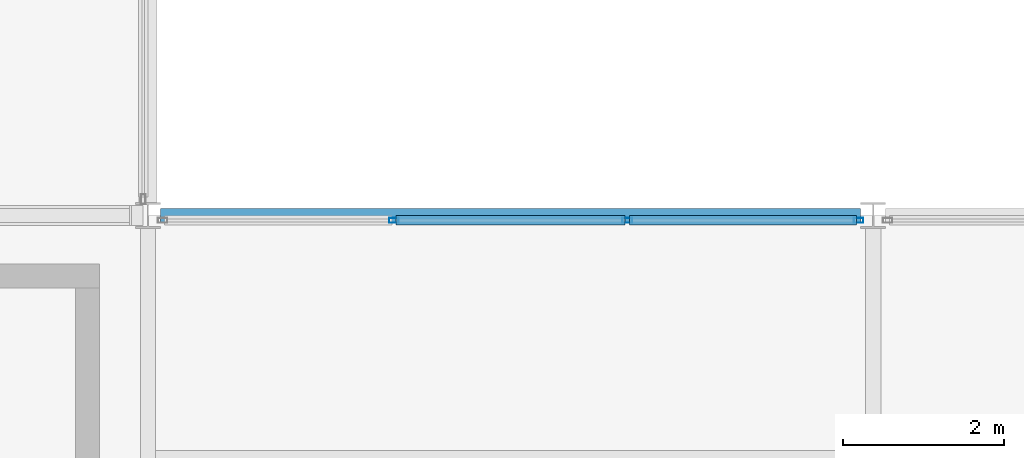
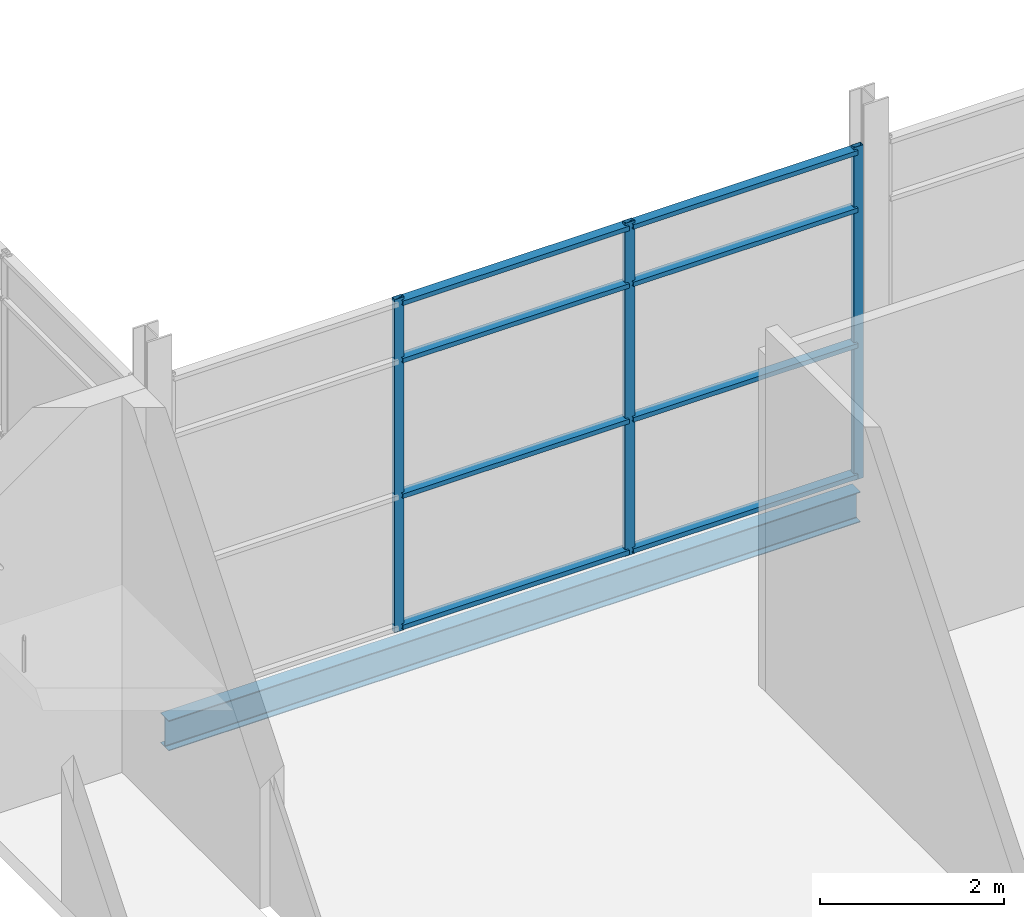
# One storey, part 20 of 112: 11 members, 1 beam, 1 element without a shape of its own.
"""IFC4 building model written with IfcOpenShell, lengths in metres."""

from ifc_helpers import new_model, si_unit, direction, frame, origin, origin_2d, place, context, subcontext, project, spatial, hollow_rectangle, i_section, extrude, material, layer, layer_set, material_profile, profile_set, type_object, element, aggregate, save


model = new_model("IFC4")

# Units and contexts
model_context = context("Model", 3, precision=1e-05, world=origin(), true_north=direction((0.0, 1.0)))
body_context = subcontext(model_context, "Body", "Model", "MODEL_VIEW")
ifc_project = project(units=[si_unit("LENGTHUNIT", "METRE"), si_unit("AREAUNIT", "SQUARE_METRE"), si_unit("VOLUMEUNIT", "CUBIC_METRE"), si_unit("PLANEANGLEUNIT", "RADIAN"), si_unit("MASSUNIT", "GRAM", prefix="KILO")], contexts=[model_context])

# Site, building, storey
site_placement = place(None, origin())
site = spatial("IfcSite", under=ifc_project, at=site_placement, CompositionType="ELEMENT")
building_placement = place(site_placement, origin())
building = spatial("IfcBuilding", under=site, at=building_placement, Name="Shorebreak Coast Museum", CompositionType="ELEMENT")
storey_placement = place(building_placement, frame((0.0, 0.0, 6.0)))
storey = spatial("IfcBuildingStorey", under=building, at=storey_placement, Name="L01", CompositionType="ELEMENT", Elevation=6.0)

# Beam
ifc_material_1 = material(Name="Steel Grade 300", Category="steel")
ifc_material_profile_1 = material_profile(ifc_material_1, i_section(OverallWidth=0.177978515625, OverallDepth=0.402587890625, WebThickness=0.007568359375, FlangeThickness=0.010986328125, FilletRadius=0.011474609375, at=origin_2d()), Name="410UB53.7")
ifc_profile_set_1 = profile_set([ifc_material_profile_1], Name="Steel Grade 300")
beam_type = type_object("IfcBeamType", Name="Floor girder east-west 410UB53.7", PredefinedType="BEAM", material=ifc_profile_set_1)
beam_placement = place(storey_placement, frame((63.155517578125, 63.0, -0.376220703125), z_axis=(1.0, 0.0, 0.0), x_axis=(0.0, 1.0, 0.0)))
element("IfcBeam", 1, at=beam_placement, inside=storey, type_object=beam_type, Name="Floor girder east-west L01 8H", PredefinedType="BEAM", context=body_context, shape_type="SweptSolid", body=[
    extrude(i_section(OverallWidth=0.177978515625, OverallDepth=0.402587890625, WebThickness=0.007568359375, FlangeThickness=0.010986328125, FilletRadius=0.011474609375, at=origin_2d()), origin(), (0.0, 0.0, 1.0), 8.68896484375),
])

# Curtain wall, members
ifc_material_2 = material(Name="Aluminium", Category="aluminium")
ifc_layer = layer(ifc_material_2, 0.1201171875)
ifc_layer_set = layer_set([ifc_layer], Name="Aluminium")
curtain_wall_type = type_object("IfcCurtainWallType", Name="Atrium fire screen", PredefinedType="NOTDEFINED", material=ifc_layer_set)
curtain_wall_placement = place(storey_placement, origin())
curtain_wall = element("IfcCurtainWall", 2, at=curtain_wall_placement, inside=storey, type_object=curtain_wall_type, Name="Atrium screen L01 S 1", PredefinedType="NOTDEFINED")
ifc_material_3 = material(Name="Aluminium", Category="aluminium")
ifc_material_profile_2 = material_profile(ifc_material_3, hollow_rectangle(XDim=0.06005859375, YDim=0.1201171875, WallThickness=0.00341796875, at=origin_2d()), Name="AL 120x60 RHS")
ifc_profile_set_2 = profile_set([ifc_material_profile_2], Name="Aluminium")
member_type_1 = type_object("IfcMemberType", Name="Screen mullion 50 x 120", PredefinedType="MULLION", material=ifc_profile_set_2)
member_1_placement = place(storey_placement, frame((66.0517578125, 62.93994140625, 0.0), z_axis=(0.0, 0.0, 1.0), x_axis=(0.0, 1.0, 0.0)))
member_1 = element("IfcMember", 3, at=member_1_placement, type_object=member_type_1, Name="CW5 mullion 2", PredefinedType="MULLION", context=body_context, shape_type="SweptSolid", body=[
    extrude(hollow_rectangle(XDim=0.06005859375, YDim=0.1201171875, WallThickness=0.00341796875, at=origin_2d()), origin(), (0.0, 0.0, 1.0), 4.42236328125),
])
member_2_placement = place(storey_placement, frame((68.9482421875, 62.93994140625, 0.0), z_axis=(0.0, 0.0, 1.0), x_axis=(0.0, 1.0, 0.0)))
member_2 = element("IfcMember", 4, at=member_2_placement, type_object=member_type_1, Name="CW5 mullion 3", PredefinedType="MULLION", context=body_context, shape_type="SweptSolid", body=[
    extrude(hollow_rectangle(XDim=0.06005859375, YDim=0.1201171875, WallThickness=0.00341796875, at=origin_2d()), origin(), (0.0, 0.0, 1.0), 4.42236328125),
])
member_3_placement = place(storey_placement, frame((71.819580078125, 62.93994140625, 0.0), z_axis=(0.0, 0.0, 1.0), x_axis=(0.0, 1.0, 0.0)))
member_3 = element("IfcMember", 5, at=member_3_placement, type_object=member_type_1, Name="CW5 mullion 4", PredefinedType="MULLION", context=body_context, shape_type="SweptSolid", body=[
    extrude(hollow_rectangle(XDim=0.06005859375, YDim=0.1201171875, WallThickness=0.00341796875, at=origin_2d()), origin(), (0.0, 0.0, 1.0), 4.42236328125),
])
ifc_material_4 = material(Name="Aluminium", Category="aluminium")
ifc_material_profile_3 = material_profile(ifc_material_4, hollow_rectangle(XDim=0.1201171875, YDim=0.06005859375, WallThickness=0.00341796875, at=origin_2d()), Name="AL 60x120 RHS")
ifc_profile_set_3 = profile_set([ifc_material_profile_3], Name="Aluminium")
member_type_2 = type_object("IfcMemberType", Name="Screen transom 120 x 50", PredefinedType="USERDEFINED", material=ifc_profile_set_3)
member_4_placement = place(storey_placement, frame((66.076904296875, 62.93994140625, 0.06005859375), z_axis=(1.0, 0.0, 0.0), x_axis=(0.0, 1.0, 0.0)))
member_4 = element("IfcMember", 6, at=member_4_placement, type_object=member_type_2, Name="CW5 transom 2.1", ObjectType="TRANSOM", PredefinedType="USERDEFINED", context=body_context, shape_type="SweptSolid", body=[
    extrude(hollow_rectangle(XDim=0.1201171875, YDim=0.06005859375, WallThickness=0.00341796875, at=origin_2d()), origin(), (0.0, 0.0, 1.0), 2.84619140625),
])
member_5_placement = place(storey_placement, frame((66.076904296875, 62.93994140625, 1.800048828125), z_axis=(1.0, 0.0, 0.0), x_axis=(0.0, 1.0, 0.0)))
member_5 = element("IfcMember", 7, at=member_5_placement, type_object=member_type_2, Name="CW5 transom 2.2", ObjectType="TRANSOM", PredefinedType="USERDEFINED", context=body_context, shape_type="SweptSolid", body=[
    extrude(hollow_rectangle(XDim=0.1201171875, YDim=0.06005859375, WallThickness=0.00341796875, at=origin_2d()), origin(), (0.0, 0.0, 1.0), 2.84619140625),
])
member_6_placement = place(storey_placement, frame((66.076904296875, 62.93994140625, 3.60009765625), z_axis=(1.0, 0.0, 0.0), x_axis=(0.0, 1.0, 0.0)))
member_6 = element("IfcMember", 8, at=member_6_placement, type_object=member_type_2, Name="CW5 transom 2.3", ObjectType="TRANSOM", PredefinedType="USERDEFINED", context=body_context, shape_type="SweptSolid", body=[
    extrude(hollow_rectangle(XDim=0.1201171875, YDim=0.06005859375, WallThickness=0.00341796875, at=origin_2d()), origin(), (0.0, 0.0, 1.0), 2.84619140625),
])
member_7_placement = place(storey_placement, frame((66.076904296875, 62.93994140625, 4.3623046875), z_axis=(1.0, 0.0, 0.0), x_axis=(0.0, 1.0, 0.0)))
member_7 = element("IfcMember", 9, at=member_7_placement, type_object=member_type_2, Name="CW5 transom 2.4", ObjectType="TRANSOM", PredefinedType="USERDEFINED", context=body_context, shape_type="SweptSolid", body=[
    extrude(hollow_rectangle(XDim=0.1201171875, YDim=0.06005859375, WallThickness=0.00341796875, at=origin_2d()), origin(), (0.0, 0.0, 1.0), 2.84619140625),
])
member_8_placement = place(storey_placement, frame((68.97314453125, 62.93994140625, 0.06005859375), z_axis=(1.0, 0.0, 0.0), x_axis=(0.0, 1.0, 0.0)))
member_8 = element("IfcMember", 10, at=member_8_placement, type_object=member_type_2, Name="CW5 transom 3.1", ObjectType="TRANSOM", PredefinedType="USERDEFINED", context=body_context, shape_type="SweptSolid", body=[
    extrude(hollow_rectangle(XDim=0.1201171875, YDim=0.06005859375, WallThickness=0.00341796875, at=origin_2d()), origin(), (0.0, 0.0, 1.0), 2.8212890625),
])
member_9_placement = place(storey_placement, frame((68.97314453125, 62.93994140625, 1.800048828125), z_axis=(1.0, 0.0, 0.0), x_axis=(0.0, 1.0, 0.0)))
member_9 = element("IfcMember", 11, at=member_9_placement, type_object=member_type_2, Name="CW5 transom 3.2", ObjectType="TRANSOM", PredefinedType="USERDEFINED", context=body_context, shape_type="SweptSolid", body=[
    extrude(hollow_rectangle(XDim=0.1201171875, YDim=0.06005859375, WallThickness=0.00341796875, at=origin_2d()), origin(), (0.0, 0.0, 1.0), 2.8212890625),
])
member_10_placement = place(storey_placement, frame((68.97314453125, 62.93994140625, 3.60009765625), z_axis=(1.0, 0.0, 0.0), x_axis=(0.0, 1.0, 0.0)))
member_10 = element("IfcMember", 12, at=member_10_placement, type_object=member_type_2, Name="CW5 transom 3.3", ObjectType="TRANSOM", PredefinedType="USERDEFINED", context=body_context, shape_type="SweptSolid", body=[
    extrude(hollow_rectangle(XDim=0.1201171875, YDim=0.06005859375, WallThickness=0.00341796875, at=origin_2d()), origin(), (0.0, 0.0, 1.0), 2.8212890625),
])
member_11_placement = place(storey_placement, frame((68.97314453125, 62.93994140625, 4.3623046875), z_axis=(1.0, 0.0, 0.0), x_axis=(0.0, 1.0, 0.0)))
member_11 = element("IfcMember", 13, at=member_11_placement, type_object=member_type_2, Name="CW5 transom 3.4", ObjectType="TRANSOM", PredefinedType="USERDEFINED", context=body_context, shape_type="SweptSolid", body=[
    extrude(hollow_rectangle(XDim=0.1201171875, YDim=0.06005859375, WallThickness=0.00341796875, at=origin_2d()), origin(), (0.0, 0.0, 1.0), 2.8212890625),
])
aggregate(curtain_wall, [member_1, member_2, member_3, member_4, member_5, member_6, member_7, member_8, member_9, member_10, member_11])

save(model, "model.ifc")
